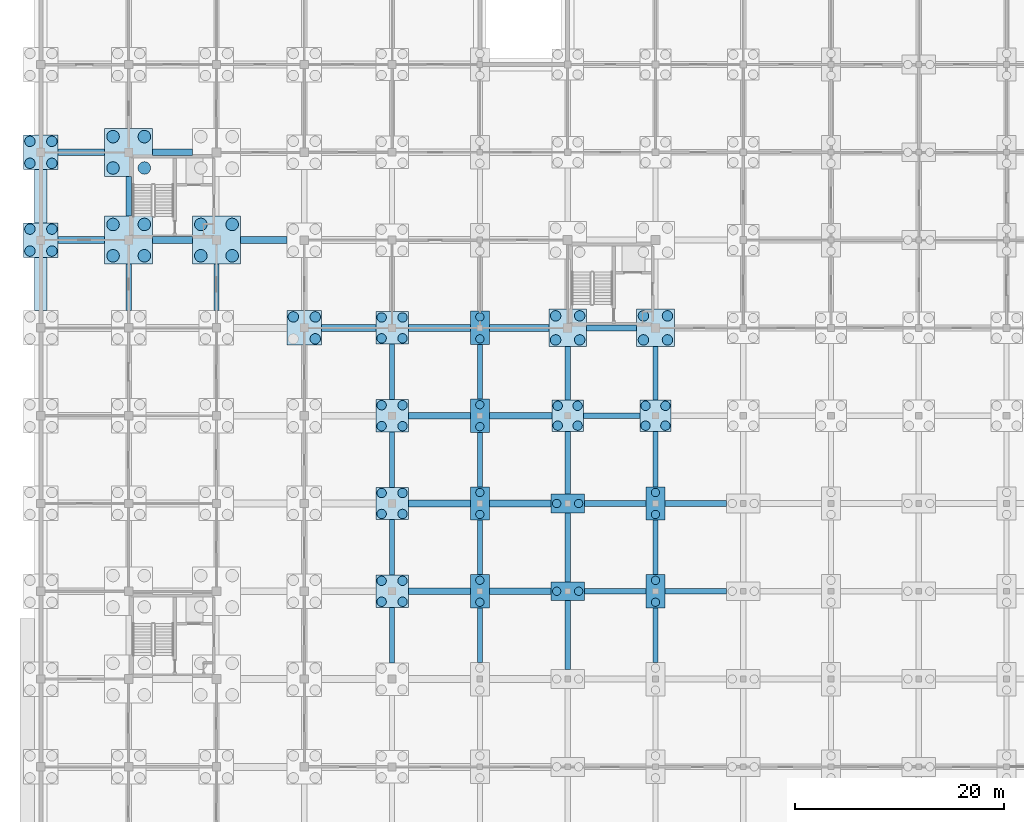
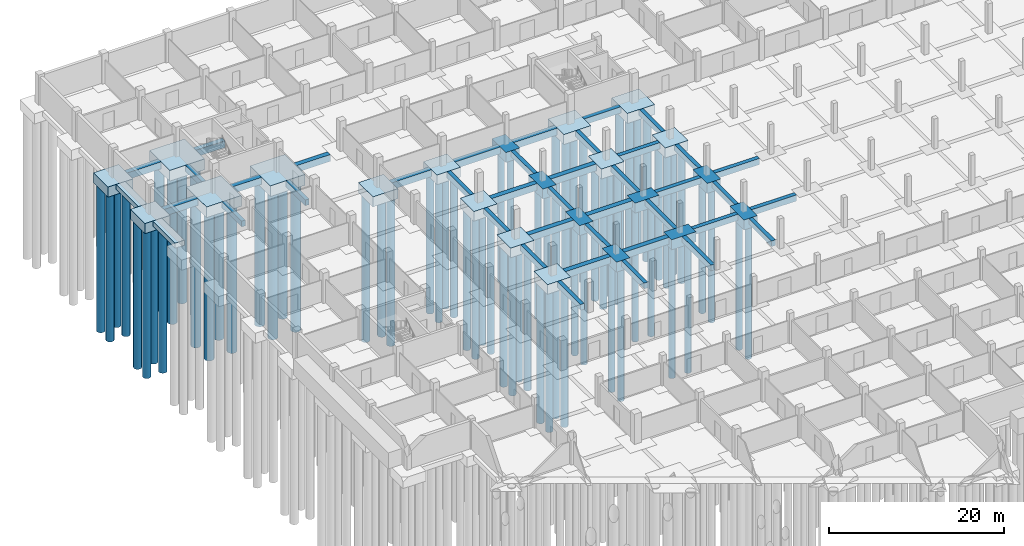
# One storey, part 7 of 43: 71 piles, 63 footings.
"""IFC4 building model written with IfcOpenShell, lengths in metres."""

from ifc_helpers import new_model, si_unit, direction, frame, origin, origin_2d, place, context, subcontext, project, spatial, rectangle, circle, extrude, material, material_profile, profile_set, type_object, element, save


model = new_model("IFC4")

# Units and contexts
model_context = context("Model", 3, precision=1e-05, world=origin(), true_north=direction((0.0, 1.0)))
body_context = subcontext(model_context, "Body", "Model", "MODEL_VIEW")
ifc_project = project(units=[si_unit("LENGTHUNIT", "METRE"), si_unit("AREAUNIT", "SQUARE_METRE"), si_unit("VOLUMEUNIT", "CUBIC_METRE"), si_unit("PLANEANGLEUNIT", "RADIAN"), si_unit("MASSUNIT", "GRAM", prefix="KILO")], contexts=[model_context])

# Site, building, storey
site_placement = place(None, origin())
site = spatial("IfcSite", under=ifc_project, at=site_placement, CompositionType="ELEMENT")
building_placement = place(site_placement, origin())
building = spatial("IfcBuilding", under=site, at=building_placement, Name="Varnapada Polytechnic", CompositionType="ELEMENT")
storey_placement = place(building_placement, frame((0.0, 0.0, -4.199951171875)))
storey = spatial("IfcBuildingStorey", under=building, at=storey_placement, Name="B1", CompositionType="ELEMENT", Elevation=-4.199951171875)

# Piles
ifc_material = material(Name="Concrete C40/50", Category="concrete")
ifc_material_profile_1 = material_profile(ifc_material, circle(Radius=0.5, at=origin_2d()), Name="BP 1000")
ifc_profile_set_1 = profile_set([ifc_material_profile_1], Name="Concrete C40/50")
pile_type_1 = type_object("IfcPileType", Name="Bored Pile BP 1000", PredefinedType="BORED", material=ifc_profile_set_1)
for number, where, z_axis, x_axis, name in (
    (1, (-1.050048828125, 99.75, -1.300048828125), (0.0, 0.0, -1.0), (1.0, 0.0, 0.0), "Bored pile P-01 under CAP-00-12 (1)"),
    (2, (1.050048828125, 99.75, -1.300048828125), (0.0, 0.0, -1.0), (1.0, 0.0, 0.0), "Bored pile P-01 under CAP-00-12 (2)"),
    (3, (-1.050048828125, 101.85009765625, -1.300048828125), (0.0, 0.0, -1.0), (1.0, 0.0, 0.0), "Bored pile P-01 under CAP-00-12 (3)"),
    (4, (1.050048828125, 101.85009765625, -1.300048828125), (0.0, 0.0, -1.0), (1.0, 0.0, 0.0), "Bored pile P-01 under CAP-00-12 (4)"),
    (5, (-1.050048828125, 108.14990234375, -1.300048828125), (0.0, 0.0, -1.0), (1.0, 0.0, 0.0), "Bored pile P-01 under CAP-00-13 (1)"),
    (6, (1.050048828125, 108.14990234375, -1.300048828125), (0.0, 0.0, -1.0), (1.0, 0.0, 0.0), "Bored pile P-01 under CAP-00-13 (2)"),
    (7, (-1.050048828125, 110.25, -1.300048828125), (0.0, 0.0, -1.0), (1.0, 0.0, 0.0), "Bored pile P-01 under CAP-00-13 (3)"),
    (8, (1.050048828125, 110.25, -1.300048828125), (0.0, 0.0, -1.0), (1.0, 0.0, 0.0), "Bored pile P-01 under CAP-00-13 (4)"),
    (9, (26.25, 91.35009765625, -1.300048828125), (0.0, 0.0, -1.0), (1.0, 0.0, 0.0), "Bored pile P-01 under CAP-03-11 (2)"),
    (10, (24.14990234375, 93.449951171875, -1.300048828125), (0.0, 0.0, -1.0), (1.0, 0.0, 0.0), "Bored pile P-01 under CAP-03-11 (3)"),
    (11, (26.25, 93.449951171875, -1.300048828125), (0.0, 0.0, -1.0), (1.0, 0.0, 0.0), "Bored pile P-01 under CAP-03-11 (4)"),
    (12, (49.25, 91.25, -1.300048828125), (0.0, 0.0, -1.0), (1.0, 0.0, 0.0), "Bored pile P-01 under CAP-06-11 (1)"),
    (13, (51.550048828125, 91.25, -1.300048828125), (0.0, 0.0, -1.0), (1.0, 0.0, 0.0), "Bored pile P-01 under CAP-06-11 (2)"),
    (14, (49.25, 93.550048828125, -1.300048828125), (0.0, 0.0, -1.0), (1.0, 0.0, 0.0), "Bored pile P-01 under CAP-06-11 (3)"),
    (15, (51.550048828125, 93.550048828125, -1.300048828125), (0.0, 0.0, -1.0), (1.0, 0.0, 0.0), "Bored pile P-01 under CAP-06-11 (4)"),
    (16, (57.64990234375, 91.25, -1.300048828125), (0.0, 0.0, -1.0), (1.0, 0.0, 0.0), "Bored pile P-01 under CAP-07-11 (1)"),
    (17, (59.949951171875, 91.25, -1.300048828125), (0.0, 0.0, -1.0), (1.0, 0.0, 0.0), "Bored pile P-01 under CAP-07-11 (2)"),
    (18, (57.64990234375, 93.550048828125, -1.300048828125), (0.0, 0.0, -1.0), (1.0, 0.0, 0.0), "Bored pile P-01 under CAP-07-11 (3)"),
    (19, (59.949951171875, 93.550048828125, -1.300048828125), (0.0, 0.0, -1.0), (1.0, 0.0, 0.0), "Bored pile P-01 under CAP-07-11 (4)"),
):
    element("IfcPile", number, at=place(storey_placement, frame(where, z_axis=z_axis, x_axis=x_axis)), inside=storey, type_object=pile_type_1, Name=name, PredefinedType="BORED", context=body_context, shape_type="SweptSolid", body=[
        extrude(circle(Radius=0.5, at=origin_2d()), origin(), (0.0, 0.0, 1.0), 20.5),
    ])
ifc_material_profile_2 = material_profile(ifc_material, circle(Radius=0.60009765625, at=origin_2d()), Name="BP 1200")
ifc_profile_set_2 = profile_set([ifc_material_profile_2], Name="Concrete C40/50")
pile_type_2 = type_object("IfcPileType", Name="Bored Pile BP 1200", PredefinedType="BORED", material=ifc_profile_set_2)
for number, where, z_axis, x_axis, name in (
    (20, (6.89990234375, 99.300048828125, -1.400146484375), (0.0, 0.0, -1.0), (1.0, 0.0, 0.0), "Bored pile P-06 under CAP-01-12 (1)"),
    (21, (9.89990234375, 99.300048828125, -1.400146484375), (0.0, 0.0, -1.0), (1.0, 0.0, 0.0), "Bored pile P-06 under CAP-01-12 (2)"),
    (22, (6.89990234375, 102.300048828125, -1.400146484375), (0.0, 0.0, -1.0), (1.0, 0.0, 0.0), "Bored pile P-06 under CAP-01-12 (3)"),
    (23, (9.89990234375, 102.300048828125, -1.400146484375), (0.0, 0.0, -1.0), (1.0, 0.0, 0.0), "Bored pile P-06 under CAP-01-12 (4)"),
    (24, (6.89990234375, 107.699951171875, -1.400146484375), (0.0, 0.0, -1.0), (1.0, 0.0, 0.0), "Bored pile P-06 under CAP-01-13 (1)"),
    (25, (9.89990234375, 107.699951171875, -1.400146484375), (0.0, 0.0, -1.0), (1.0, 0.0, 0.0), "Bored pile P-06 under CAP-01-13 (2)"),
    (26, (6.89990234375, 110.699951171875, -1.400146484375), (0.0, 0.0, -1.0), (1.0, 0.0, 0.0), "Bored pile P-06 under CAP-01-13 (3)"),
    (27, (9.89990234375, 110.699951171875, -1.400146484375), (0.0, 0.0, -1.0), (1.0, 0.0, 0.0), "Bored pile P-06 under CAP-01-13 (4)"),
    (28, (15.300048828125, 99.300048828125, -1.400146484375), (0.0, 0.0, -1.0), (1.0, 0.0, 0.0), "Bored pile P-06 under CAP-02-12 (1)"),
    (29, (18.300048828125, 99.300048828125, -1.400146484375), (0.0, 0.0, -1.0), (1.0, 0.0, 0.0), "Bored pile P-06 under CAP-02-12 (2)"),
    (30, (15.300048828125, 102.300048828125, -1.400146484375), (0.0, 0.0, -1.0), (1.0, 0.0, 0.0), "Bored pile P-06 under CAP-02-12 (3)"),
    (31, (18.300048828125, 102.300048828125, -1.400146484375), (0.0, 0.0, -1.0), (1.0, 0.0, 0.0), "Bored pile P-06 under CAP-02-12 (4)"),
):
    element("IfcPile", number, at=place(storey_placement, frame(where, z_axis=z_axis, x_axis=x_axis)), inside=storey, type_object=pile_type_2, Name=name, PredefinedType="BORED", context=body_context, shape_type="SweptSolid", body=[
        extrude(circle(Radius=0.60009765625, at=origin_2d()), origin(), (0.0, 0.0, 1.0), 20.39990234375),
    ])
ifc_material_profile_3 = material_profile(ifc_material, circle(Radius=0.39990234375, at=origin_2d()), Name="BP 800")
ifc_profile_set_3 = profile_set([ifc_material_profile_3], Name="Concrete C40/50")
pile_type_3 = type_object("IfcPileType", Name="Bored Pile BP 800", PredefinedType="BORED", material=ifc_profile_set_3)
for number, where, z_axis, x_axis, name in (
    (32, (42.0, 66.14990234375, -1.300048828125), (0.0, 0.0, -1.0), (1.0, 0.0, 0.0), "Bored pile P-03 under CAP-05-08 (1)"),
    (33, (42.0, 68.25, -1.300048828125), (0.0, 0.0, -1.0), (1.0, 0.0, 0.0), "Bored pile P-03 under CAP-05-08 (2)"),
    (34, (42.0, 74.550048828125, -1.300048828125), (0.0, 0.0, -1.0), (1.0, 0.0, 0.0), "Bored pile P-03 under CAP-05-09 (1)"),
    (35, (42.0, 76.64990234375, -1.300048828125), (0.0, 0.0, -1.0), (1.0, 0.0, 0.0), "Bored pile P-03 under CAP-05-09 (2)"),
    (36, (42.0, 82.949951171875, -1.300048828125), (0.0, 0.0, -1.0), (1.0, 0.0, 0.0), "Bored pile P-03 under CAP-05-10 (1)"),
    (37, (42.0, 85.050048828125, -1.300048828125), (0.0, 0.0, -1.0), (1.0, 0.0, 0.0), "Bored pile P-03 under CAP-05-10 (2)"),
    (38, (42.0, 91.35009765625, -1.300048828125), (0.0, 0.0, -1.0), (1.0, 0.0, 0.0), "Bored pile P-03 under CAP-05-11 (1)"),
    (39, (42.0, 93.449951171875, -1.300048828125), (0.0, 0.0, -1.0), (1.0, 0.0, 0.0), "Bored pile P-03 under CAP-05-11 (2)"),
    (40, (49.35009765625, 67.199951171875, -1.300048828125), (0.0, 0.0, -1.0), (1.0, 0.0, 0.0), "Bored pile P-03 under CAP-06-08 (1)"),
    (41, (51.449951171875, 67.199951171875, -1.300048828125), (0.0, 0.0, -1.0), (1.0, 0.0, 0.0), "Bored pile P-03 under CAP-06-08 (2)"),
    (42, (49.35009765625, 75.60009765625, -1.300048828125), (0.0, 0.0, -1.0), (1.0, 0.0, 0.0), "Bored pile P-03 under CAP-06-09 (1)"),
    (43, (51.449951171875, 75.60009765625, -1.300048828125), (0.0, 0.0, -1.0), (1.0, 0.0, 0.0), "Bored pile P-03 under CAP-06-09 (2)"),
    (44, (58.800048828125, 66.14990234375, -1.300048828125), (0.0, 0.0, -1.0), (1.0, 0.0, 0.0), "Bored pile P-03 under CAP-07-08 (1)"),
    (45, (58.800048828125, 68.25, -1.300048828125), (0.0, 0.0, -1.0), (1.0, 0.0, 0.0), "Bored pile P-03 under CAP-07-08 (2)"),
    (46, (58.800048828125, 74.550048828125, -1.300048828125), (0.0, 0.0, -1.0), (1.0, 0.0, 0.0), "Bored pile P-03 under CAP-07-09 (1)"),
    (47, (58.800048828125, 76.64990234375, -1.300048828125), (0.0, 0.0, -1.0), (1.0, 0.0, 0.0), "Bored pile P-03 under CAP-07-09 (2)"),
):
    element("IfcPile", number, at=place(storey_placement, frame(where, z_axis=z_axis, x_axis=x_axis)), inside=storey, type_object=pile_type_3, Name=name, PredefinedType="BORED", context=body_context, shape_type="SweptSolid", body=[
        extrude(circle(Radius=0.39990234375, at=origin_2d()), origin(), (0.0, 0.0, 1.0), 18.5),
    ])
ifc_material_profile_4 = material_profile(ifc_material, circle(Radius=0.449951171875, at=origin_2d()), Name="BP 900")
ifc_profile_set_4 = profile_set([ifc_material_profile_4], Name="Concrete C40/50")
pile_type_4 = type_object("IfcPileType", Name="Bored Pile BP 900", PredefinedType="BORED", material=ifc_profile_set_4)
for number, where, z_axis, x_axis, name in (
    (48, (32.60009765625, 66.199951171875, -1.25), (0.0, 0.0, -1.0), (1.0, 0.0, 0.0), "Bored pile P-02 under CAP-04-08 (1)"),
    (49, (34.60009765625, 66.199951171875, -1.25), (0.0, 0.0, -1.0), (1.0, 0.0, 0.0), "Bored pile P-02 under CAP-04-08 (2)"),
    (50, (32.60009765625, 68.199951171875, -1.25), (0.0, 0.0, -1.0), (1.0, 0.0, 0.0), "Bored pile P-02 under CAP-04-08 (3)"),
    (51, (34.60009765625, 68.199951171875, -1.25), (0.0, 0.0, -1.0), (1.0, 0.0, 0.0), "Bored pile P-02 under CAP-04-08 (4)"),
    (52, (32.60009765625, 74.60009765625, -1.25), (0.0, 0.0, -1.0), (1.0, 0.0, 0.0), "Bored pile P-02 under CAP-04-09 (1)"),
    (53, (34.60009765625, 74.60009765625, -1.25), (0.0, 0.0, -1.0), (1.0, 0.0, 0.0), "Bored pile P-02 under CAP-04-09 (2)"),
    (54, (32.60009765625, 76.60009765625, -1.25), (0.0, 0.0, -1.0), (1.0, 0.0, 0.0), "Bored pile P-02 under CAP-04-09 (3)"),
    (55, (34.60009765625, 76.60009765625, -1.25), (0.0, 0.0, -1.0), (1.0, 0.0, 0.0), "Bored pile P-02 under CAP-04-09 (4)"),
    (56, (32.60009765625, 83.0, -1.25), (0.0, 0.0, -1.0), (1.0, 0.0, 0.0), "Bored pile P-02 under CAP-04-10 (1)"),
    (57, (34.60009765625, 83.0, -1.25), (0.0, 0.0, -1.0), (1.0, 0.0, 0.0), "Bored pile P-02 under CAP-04-10 (2)"),
    (58, (32.60009765625, 85.0, -1.25), (0.0, 0.0, -1.0), (1.0, 0.0, 0.0), "Bored pile P-02 under CAP-04-10 (3)"),
    (59, (34.60009765625, 85.0, -1.25), (0.0, 0.0, -1.0), (1.0, 0.0, 0.0), "Bored pile P-02 under CAP-04-10 (4)"),
    (60, (32.60009765625, 91.39990234375, -1.25), (0.0, 0.0, -1.0), (1.0, 0.0, 0.0), "Bored pile P-02 under CAP-04-11 (1)"),
    (61, (34.60009765625, 91.39990234375, -1.25), (0.0, 0.0, -1.0), (1.0, 0.0, 0.0), "Bored pile P-02 under CAP-04-11 (2)"),
    (62, (32.60009765625, 93.39990234375, -1.25), (0.0, 0.0, -1.0), (1.0, 0.0, 0.0), "Bored pile P-02 under CAP-04-11 (3)"),
    (63, (34.60009765625, 93.39990234375, -1.25), (0.0, 0.0, -1.0), (1.0, 0.0, 0.0), "Bored pile P-02 under CAP-04-11 (4)"),
):
    element("IfcPile", number, at=place(storey_placement, frame(where, z_axis=z_axis, x_axis=x_axis)), inside=storey, type_object=pile_type_4, Name=name, PredefinedType="BORED", context=body_context, shape_type="SweptSolid", body=[
        extrude(circle(Radius=0.449951171875, at=origin_2d()), origin(), (0.0, 0.0, 1.0), 19.550048828125),
    ])
for number, where, z_axis, x_axis, name in (
    (64, (49.449951171875, 83.050048828125, -1.300048828125), (0.0, 0.0, -1.0), (1.0, 0.0, 0.0), "Bored pile P-02 under CAP-06-10 (1)"),
    (65, (51.35009765625, 83.050048828125, -1.300048828125), (0.0, 0.0, -1.0), (1.0, 0.0, 0.0), "Bored pile P-02 under CAP-06-10 (2)"),
    (66, (49.449951171875, 84.949951171875, -1.300048828125), (0.0, 0.0, -1.0), (1.0, 0.0, 0.0), "Bored pile P-02 under CAP-06-10 (3)"),
    (67, (51.35009765625, 84.949951171875, -1.300048828125), (0.0, 0.0, -1.0), (1.0, 0.0, 0.0), "Bored pile P-02 under CAP-06-10 (4)"),
    (68, (57.85009765625, 83.050048828125, -1.300048828125), (0.0, 0.0, -1.0), (1.0, 0.0, 0.0), "Bored pile P-02 under CAP-07-10 (1)"),
    (69, (59.75, 83.050048828125, -1.300048828125), (0.0, 0.0, -1.0), (1.0, 0.0, 0.0), "Bored pile P-02 under CAP-07-10 (2)"),
    (70, (57.85009765625, 84.949951171875, -1.300048828125), (0.0, 0.0, -1.0), (1.0, 0.0, 0.0), "Bored pile P-02 under CAP-07-10 (3)"),
    (71, (59.75, 84.949951171875, -1.300048828125), (0.0, 0.0, -1.0), (1.0, 0.0, 0.0), "Bored pile P-02 under CAP-07-10 (4)"),
):
    element("IfcPile", number, at=place(storey_placement, frame(where, z_axis=z_axis, x_axis=x_axis)), inside=storey, type_object=pile_type_4, Name=name, PredefinedType="BORED", context=body_context, shape_type="SweptSolid", body=[
        extrude(circle(Radius=0.449951171875, at=origin_2d()), origin(), (0.0, 0.0, 1.0), 18.5),
    ])

# Footings
footing_type_1 = type_object("IfcFootingType", Name="Footing GB-02", PredefinedType="FOOTING_BEAM", material=ifc_material)
footing_1_placement = place(storey_placement, frame((8.39990234375, 96.27490234375, -0.80029296875), z_axis=(0.0, 0.0, 1.0), x_axis=(0.0, 1.0, 0.0)))
element("IfcFooting", 72, at=footing_1_placement, inside=storey, type_object=footing_type_1, Name="Ground footing beam GB-02 Y 12-13", PredefinedType="FOOTING_BEAM", context=body_context, shape_type="SweptSolid", body=[
    extrude(rectangle(XDim=4.449951171875, YDim=0.5, at=origin_2d()), origin(), (0.0, 0.0, 1.0), 0.800048828125),
])
footing_2_placement = place(storey_placement, frame((8.39990234375, 105.0, -0.80029296875), z_axis=(0.0, 0.0, 1.0), x_axis=(0.0, 1.0, 0.0)))
element("IfcFooting", 73, at=footing_2_placement, inside=storey, type_object=footing_type_1, Name="Ground footing beam GB-02 Y 13-14", PredefinedType="FOOTING_BEAM", context=body_context, shape_type="SweptSolid", body=[
    extrude(rectangle(XDim=3.800048828125, YDim=0.5, at=origin_2d()), origin(), (0.0, 0.0, 1.0), 0.800048828125),
])
footing_3_placement = place(storey_placement, frame((16.800048828125, 96.27490234375, -0.80029296875), z_axis=(0.0, 0.0, 1.0), x_axis=(0.0, 1.0, 0.0)))
element("IfcFooting", 74, at=footing_3_placement, inside=storey, type_object=footing_type_1, Name="Ground footing beam GB-02 Y 12-13", PredefinedType="FOOTING_BEAM", context=body_context, shape_type="SweptSolid", body=[
    extrude(rectangle(XDim=4.449951171875, YDim=0.5, at=origin_2d()), origin(), (0.0, 0.0, 1.0), 0.800048828125),
])
for number, where, z_axis, x_axis, name in (
    (75, (33.60009765625, 63.0, -0.80029296875), (0.0, 0.0, 1.0), (0.0, 1.0, 0.0), "Ground footing beam GB-02 Y 8-9"),
    (76, (33.60009765625, 71.39990234375, -0.80029296875), (0.0, 0.0, 1.0), (0.0, 1.0, 0.0), "Ground footing beam GB-02 Y 9-10"),
    (77, (33.60009765625, 79.800048828125, -0.80029296875), (0.0, 0.0, 1.0), (0.0, 1.0, 0.0), "Ground footing beam GB-02 Y 10-11"),
    (78, (33.60009765625, 88.199951171875, -0.80029296875), (0.0, 0.0, 1.0), (0.0, 1.0, 0.0), "Ground footing beam GB-02 Y 11-12"),
):
    element("IfcFooting", number, at=place(storey_placement, frame(where, z_axis=z_axis, x_axis=x_axis)), inside=storey, type_object=footing_type_1, Name=name, PredefinedType="FOOTING_BEAM", context=body_context, shape_type="SweptSolid", body=[
        extrude(rectangle(XDim=5.300048828125, YDim=0.5, at=origin_2d()), origin(), (0.0, 0.0, 1.0), 0.800048828125),
    ])
for number, where, z_axis, x_axis, name in (
    (79, (42.0, 63.0, -0.80029296875), (0.0, 0.0, 1.0), (0.0, 1.0, 0.0), "Ground footing beam GB-02 Y 8-9"),
    (80, (42.0, 71.39990234375, -0.80029296875), (0.0, 0.0, 1.0), (0.0, 1.0, 0.0), "Ground footing beam GB-02 Y 9-10"),
    (81, (42.0, 79.800048828125, -0.80029296875), (0.0, 0.0, 1.0), (0.0, 1.0, 0.0), "Ground footing beam GB-02 Y 10-11"),
    (82, (42.0, 88.199951171875, -0.80029296875), (0.0, 0.0, 1.0), (0.0, 1.0, 0.0), "Ground footing beam GB-02 Y 11-12"),
):
    element("IfcFooting", number, at=place(storey_placement, frame(where, z_axis=z_axis, x_axis=x_axis)), inside=storey, type_object=footing_type_1, Name=name, PredefinedType="FOOTING_BEAM", context=body_context, shape_type="SweptSolid", body=[
        extrude(rectangle(XDim=5.199951171875, YDim=0.5, at=origin_2d()), origin(), (0.0, 0.0, 1.0), 0.800048828125),
    ])
for number, where, z_axis, x_axis, name in (
    (83, (50.39990234375, 63.0, -0.80029296875), (0.0, 0.0, 1.0), (0.0, 1.0, 0.0), "Ground footing beam GB-02 Y 8-9"),
    (84, (50.39990234375, 71.39990234375, -0.80029296875), (0.0, 0.0, 1.0), (0.0, 1.0, 0.0), "Ground footing beam GB-02 Y 9-10"),
):
    element("IfcFooting", number, at=place(storey_placement, frame(where, z_axis=z_axis, x_axis=x_axis)), inside=storey, type_object=footing_type_1, Name=name, PredefinedType="FOOTING_BEAM", context=body_context, shape_type="SweptSolid", body=[
        extrude(rectangle(XDim=6.60009765625, YDim=0.5, at=origin_2d()), origin(), (0.0, 0.0, 1.0), 0.800048828125),
    ])
footing_4_placement = place(storey_placement, frame((50.39990234375, 79.5, -0.80029296875), z_axis=(0.0, 0.0, 1.0), x_axis=(0.0, 1.0, 0.0)))
element("IfcFooting", 85, at=footing_4_placement, inside=storey, type_object=footing_type_1, Name="Ground footing beam GB-02 Y 10-11", PredefinedType="FOOTING_BEAM", context=body_context, shape_type="SweptSolid", body=[
    extrude(rectangle(XDim=6.0, YDim=0.5, at=origin_2d()), origin(), (0.0, 0.0, 1.0), 0.800048828125),
])
footing_5_placement = place(storey_placement, frame((50.39990234375, 88.050048828125, -0.80029296875), z_axis=(0.0, 0.0, 1.0), x_axis=(0.0, 1.0, 0.0)))
element("IfcFooting", 86, at=footing_5_placement, inside=storey, type_object=footing_type_1, Name="Ground footing beam GB-02 Y 11-12", PredefinedType="FOOTING_BEAM", context=body_context, shape_type="SweptSolid", body=[
    extrude(rectangle(XDim=5.10009765625, YDim=0.5, at=origin_2d()), origin(), (0.0, 0.0, 1.0), 0.800048828125),
])
for number, where, z_axis, x_axis, name in (
    (87, (58.800048828125, 63.0, -0.80029296875), (0.0, 0.0, 1.0), (0.0, 1.0, 0.0), "Ground footing beam GB-02 Y 8-9"),
    (88, (58.800048828125, 71.39990234375, -0.80029296875), (0.0, 0.0, 1.0), (0.0, 1.0, 0.0), "Ground footing beam GB-02 Y 9-10"),
):
    element("IfcFooting", number, at=place(storey_placement, frame(where, z_axis=z_axis, x_axis=x_axis)), inside=storey, type_object=footing_type_1, Name=name, PredefinedType="FOOTING_BEAM", context=body_context, shape_type="SweptSolid", body=[
        extrude(rectangle(XDim=5.199951171875, YDim=0.5, at=origin_2d()), origin(), (0.0, 0.0, 1.0), 0.800048828125),
    ])
footing_6_placement = place(storey_placement, frame((58.800048828125, 79.85009765625, -0.80029296875), z_axis=(0.0, 0.0, 1.0), x_axis=(0.0, 1.0, 0.0)))
element("IfcFooting", 89, at=footing_6_placement, inside=storey, type_object=footing_type_1, Name="Ground footing beam GB-02 Y 10-11", PredefinedType="FOOTING_BEAM", context=body_context, shape_type="SweptSolid", body=[
    extrude(rectangle(XDim=5.300048828125, YDim=0.5, at=origin_2d()), origin(), (0.0, 0.0, 1.0), 0.800048828125),
])
footing_7_placement = place(storey_placement, frame((58.800048828125, 88.050048828125, -0.80029296875), z_axis=(0.0, 0.0, 1.0), x_axis=(0.0, 1.0, 0.0)))
element("IfcFooting", 90, at=footing_7_placement, inside=storey, type_object=footing_type_1, Name="Ground footing beam GB-02 Y 11-12", PredefinedType="FOOTING_BEAM", context=body_context, shape_type="SweptSolid", body=[
    extrude(rectangle(XDim=5.10009765625, YDim=0.5, at=origin_2d()), origin(), (0.0, 0.0, 1.0), 0.800048828125),
])
footing_type_2 = type_object("IfcFootingType", Name="Footing GB-03", PredefinedType="FOOTING_BEAM", material=ifc_material)
for number, where, z_axis, x_axis, name in (
    (91, (3.875, 100.800048828125, -0.9501953125), (0.0, 0.0, 1.0), (1.0, 0.0, 0.0), "Ground footing beam GB-03 X 1-2"),
    (92, (3.875, 109.199951171875, -0.9501953125), (0.0, 0.0, 1.0), (1.0, 0.0, 0.0), "Ground footing beam GB-03 X 1-2"),
):
    element("IfcFooting", number, at=place(storey_placement, frame(where, z_axis=z_axis, x_axis=x_axis)), inside=storey, type_object=footing_type_2, Name=name, PredefinedType="FOOTING_BEAM", context=body_context, shape_type="SweptSolid", body=[
        extrude(rectangle(XDim=4.449951171875, YDim=0.64990234375, at=origin_2d()), origin(), (0.0, 0.0, 1.0), 0.949951171875),
    ])
for number, where, z_axis, x_axis, name in (
    (93, (12.60009765625, 100.800048828125, -0.9501953125), (0.0, 0.0, 1.0), (1.0, 0.0, 0.0), "Ground footing beam GB-03 X 2-3"),
    (94, (12.60009765625, 109.199951171875, -0.9501953125), (0.0, 0.0, 1.0), (1.0, 0.0, 0.0), "Ground footing beam GB-03 X 2-3"),
):
    element("IfcFooting", number, at=place(storey_placement, frame(where, z_axis=z_axis, x_axis=x_axis)), inside=storey, type_object=footing_type_2, Name=name, PredefinedType="FOOTING_BEAM", context=body_context, shape_type="SweptSolid", body=[
        extrude(rectangle(XDim=3.800048828125, YDim=0.64990234375, at=origin_2d()), origin(), (0.0, 0.0, 1.0), 0.949951171875),
    ])
footing_8_placement = place(storey_placement, frame((21.324951171875, 100.800048828125, -0.9501953125), z_axis=(0.0, 0.0, 1.0), x_axis=(1.0, 0.0, 0.0)))
element("IfcFooting", 95, at=footing_8_placement, inside=storey, type_object=footing_type_2, Name="Ground footing beam GB-03 X 3-4", PredefinedType="FOOTING_BEAM", context=body_context, shape_type="SweptSolid", body=[
    extrude(rectangle(XDim=4.449951171875, YDim=0.64990234375, at=origin_2d()), origin(), (0.0, 0.0, 1.0), 0.949951171875),
])
footing_9_placement = place(storey_placement, frame((29.449951171875, 92.39990234375, -0.9501953125), z_axis=(0.0, 0.0, 1.0), x_axis=(1.0, 0.0, 0.0)))
element("IfcFooting", 96, at=footing_9_placement, inside=storey, type_object=footing_type_2, Name="Ground footing beam GB-03 X 4-5", PredefinedType="FOOTING_BEAM", context=body_context, shape_type="SweptSolid", body=[
    extrude(rectangle(XDim=5.199951171875, YDim=0.64990234375, at=origin_2d()), origin(), (0.0, 0.0, 1.0), 0.949951171875),
])
for number, where, z_axis, x_axis, name in (
    (97, (38.125, 67.199951171875, -0.9501953125), (0.0, 0.0, 1.0), (1.0, 0.0, 0.0), "Ground footing beam GB-03 X 5-6"),
    (98, (38.125, 75.60009765625, -0.9501953125), (0.0, 0.0, 1.0), (1.0, 0.0, 0.0), "Ground footing beam GB-03 X 5-6"),
    (99, (38.125, 84.0, -0.9501953125), (0.0, 0.0, 1.0), (1.0, 0.0, 0.0), "Ground footing beam GB-03 X 5-6"),
    (100, (38.125, 92.39990234375, -0.9501953125), (0.0, 0.0, 1.0), (1.0, 0.0, 0.0), "Ground footing beam GB-03 X 5-6"),
):
    element("IfcFooting", number, at=place(storey_placement, frame(where, z_axis=z_axis, x_axis=x_axis)), inside=storey, type_object=footing_type_2, Name=name, PredefinedType="FOOTING_BEAM", context=body_context, shape_type="SweptSolid", body=[
        extrude(rectangle(XDim=5.949951171875, YDim=0.64990234375, at=origin_2d()), origin(), (0.0, 0.0, 1.0), 0.949951171875),
    ])
for number, where, z_axis, x_axis, name in (
    (101, (45.85009765625, 67.199951171875, -0.9501953125), (0.0, 0.0, 1.0), (1.0, 0.0, 0.0), "Ground footing beam GB-03 X 6-7"),
    (102, (45.85009765625, 75.60009765625, -0.9501953125), (0.0, 0.0, 1.0), (1.0, 0.0, 0.0), "Ground footing beam GB-03 X 6-7"),
):
    element("IfcFooting", number, at=place(storey_placement, frame(where, z_axis=z_axis, x_axis=x_axis)), inside=storey, type_object=footing_type_2, Name=name, PredefinedType="FOOTING_BEAM", context=body_context, shape_type="SweptSolid", body=[
        extrude(rectangle(XDim=5.89990234375, YDim=0.64990234375, at=origin_2d()), origin(), (0.0, 0.0, 1.0), 0.949951171875),
    ])
footing_10_placement = place(storey_placement, frame((45.89990234375, 84.0, -0.9501953125), z_axis=(0.0, 0.0, 1.0), x_axis=(1.0, 0.0, 0.0)))
element("IfcFooting", 103, at=footing_10_placement, inside=storey, type_object=footing_type_2, Name="Ground footing beam GB-03 X 6-7", PredefinedType="FOOTING_BEAM", context=body_context, shape_type="SweptSolid", body=[
    extrude(rectangle(XDim=6.0, YDim=0.64990234375, at=origin_2d()), origin(), (0.0, 0.0, 1.0), 0.949951171875),
])
footing_11_placement = place(storey_placement, frame((45.75, 92.39990234375, -0.9501953125), z_axis=(0.0, 0.0, 1.0), x_axis=(1.0, 0.0, 0.0)))
element("IfcFooting", 104, at=footing_11_placement, inside=storey, type_object=footing_type_2, Name="Ground footing beam GB-03 X 6-7", PredefinedType="FOOTING_BEAM", context=body_context, shape_type="SweptSolid", body=[
    extrude(rectangle(XDim=5.699951171875, YDim=0.64990234375, at=origin_2d()), origin(), (0.0, 0.0, 1.0), 0.949951171875),
])
footing_type_3 = type_object("IfcFootingType", Name="Footing GB-04", PredefinedType="FOOTING_BEAM", material=ifc_material)
for number, where, z_axis, x_axis, name in (
    (105, (54.949951171875, 67.199951171875, -0.85009765625), (0.0, 0.0, 1.0), (1.0, 0.0, 0.0), "Ground footing beam GB-04 X 7-8"),
    (106, (54.949951171875, 75.60009765625, -0.85009765625), (0.0, 0.0, 1.0), (1.0, 0.0, 0.0), "Ground footing beam GB-04 X 7-8"),
):
    element("IfcFooting", number, at=place(storey_placement, frame(where, z_axis=z_axis, x_axis=x_axis)), inside=storey, type_object=footing_type_3, Name=name, PredefinedType="FOOTING_BEAM", context=body_context, shape_type="SweptSolid", body=[
        extrude(rectangle(XDim=5.89990234375, YDim=0.550048828125, at=origin_2d()), origin(), (0.0, 0.0, 1.0), 0.85009765625),
    ])
footing_12_placement = place(storey_placement, frame((54.60009765625, 84.0, -0.85009765625), z_axis=(0.0, 0.0, 1.0), x_axis=(1.0, 0.0, 0.0)))
element("IfcFooting", 107, at=footing_12_placement, inside=storey, type_object=footing_type_3, Name="Ground footing beam GB-04 X 7-8", PredefinedType="FOOTING_BEAM", context=body_context, shape_type="SweptSolid", body=[
    extrude(rectangle(XDim=5.39990234375, YDim=0.550048828125, at=origin_2d()), origin(), (0.0, 0.0, 1.0), 0.85009765625),
])
footing_13_placement = place(storey_placement, frame((54.60009765625, 92.39990234375, -0.85009765625), z_axis=(0.0, 0.0, 1.0), x_axis=(1.0, 0.0, 0.0)))
element("IfcFooting", 108, at=footing_13_placement, inside=storey, type_object=footing_type_3, Name="Ground footing beam GB-04 X 7-8", PredefinedType="FOOTING_BEAM", context=body_context, shape_type="SweptSolid", body=[
    extrude(rectangle(XDim=4.800048828125, YDim=0.550048828125, at=origin_2d()), origin(), (0.0, 0.0, 1.0), 0.85009765625),
])
for number, where, z_axis, x_axis, name in (
    (109, (62.64990234375, 67.199951171875, -0.85009765625), (0.0, 0.0, 1.0), (1.0, 0.0, 0.0), "Ground footing beam GB-04 X 8-9"),
    (110, (62.64990234375, 75.60009765625, -0.85009765625), (0.0, 0.0, 1.0), (1.0, 0.0, 0.0), "Ground footing beam GB-04 X 8-9"),
):
    element("IfcFooting", number, at=place(storey_placement, frame(where, z_axis=z_axis, x_axis=x_axis)), inside=storey, type_object=footing_type_3, Name=name, PredefinedType="FOOTING_BEAM", context=body_context, shape_type="SweptSolid", body=[
        extrude(rectangle(XDim=5.89990234375, YDim=0.550048828125, at=origin_2d()), origin(), (0.0, 0.0, 1.0), 0.85009765625),
    ])
footing_type_4 = type_object("IfcFootingType", Name="Footing PC-01", PredefinedType="PILE_CAP", material=ifc_material)
for number, where, z_axis, x_axis, name in (
    (111, (50.39990234375, 92.39990234375, -1.39990234375), (0.0, 0.0, 1.0), (1.0, 0.0, 0.0), "Pile cap PC-01 at grid 7/12"),
    (112, (58.800048828125, 92.39990234375, -1.39990234375), (0.0, 0.0, 1.0), (1.0, 0.0, 0.0), "Pile cap PC-01 at grid 8/12"),
):
    element("IfcFooting", number, at=place(storey_placement, frame(where, z_axis=z_axis, x_axis=x_axis)), inside=storey, type_object=footing_type_4, Name=name, PredefinedType="PILE_CAP", context=body_context, shape_type="SweptSolid", body=[
        extrude(rectangle(XDim=3.60009765625, YDim=3.60009765625, at=origin_2d()), origin(), (0.0, 0.0, 1.0), 1.39990234375),
    ])
footing_type_5 = type_object("IfcFootingType", Name="Footing PC-02", PredefinedType="PILE_CAP", material=ifc_material)
for number, where, z_axis, x_axis, name in (
    (113, (0.0, 100.800048828125, -1.39990234375), (0.0, 0.0, 1.0), (1.0, 0.0, 0.0), "Pile cap PC-02 at grid 1/13"),
    (114, (0.0, 109.199951171875, -1.39990234375), (0.0, 0.0, 1.0), (1.0, 0.0, 0.0), "Pile cap PC-02 at grid 1/14"),
    (115, (25.199951171875, 92.39990234375, -1.39990234375), (0.0, 0.0, 1.0), (1.0, 0.0, 0.0), "Pile cap PC-02 at grid 4/12"),
):
    element("IfcFooting", number, at=place(storey_placement, frame(where, z_axis=z_axis, x_axis=x_axis)), inside=storey, type_object=footing_type_5, Name=name, PredefinedType="PILE_CAP", context=body_context, shape_type="SweptSolid", body=[
        extrude(rectangle(XDim=3.300048828125, YDim=3.300048828125, at=origin_2d()), origin(), (0.0, 0.0, 1.0), 1.39990234375),
    ])
footing_type_6 = type_object("IfcFootingType", Name="Footing PC-03", PredefinedType="PILE_CAP", material=ifc_material)
for number, where, z_axis, x_axis, name in (
    (116, (50.39990234375, 84.0, -1.39990234375), (0.0, 0.0, 1.0), (1.0, 0.0, 0.0), "Pile cap PC-03 at grid 7/11"),
    (117, (58.800048828125, 84.0, -1.39990234375), (0.0, 0.0, 1.0), (1.0, 0.0, 0.0), "Pile cap PC-03 at grid 8/11"),
):
    element("IfcFooting", number, at=place(storey_placement, frame(where, z_axis=z_axis, x_axis=x_axis)), inside=storey, type_object=footing_type_6, Name=name, PredefinedType="PILE_CAP", context=body_context, shape_type="SweptSolid", body=[
        extrude(rectangle(XDim=3.0, YDim=3.0, at=origin_2d()), origin(), (0.0, 0.0, 1.0), 1.39990234375),
    ])
footing_type_7 = type_object("IfcFootingType", Name="Footing PC-04", PredefinedType="PILE_CAP", material=ifc_material)
for number, where, z_axis, x_axis, name in (
    (118, (50.39990234375, 67.199951171875, -1.39990234375), (0.0, 0.0, 1.0), (1.0, 0.0, 0.0), "Pile cap PC-04 at grid 7/9"),
    (119, (50.39990234375, 75.60009765625, -1.39990234375), (0.0, 0.0, 1.0), (1.0, 0.0, 0.0), "Pile cap PC-04 at grid 7/10"),
):
    element("IfcFooting", number, at=place(storey_placement, frame(where, z_axis=z_axis, x_axis=x_axis)), inside=storey, type_object=footing_type_7, Name=name, PredefinedType="PILE_CAP", context=body_context, shape_type="SweptSolid", body=[
        extrude(rectangle(XDim=3.199951171875, YDim=1.800048828125, at=origin_2d()), origin(), (0.0, 0.0, 1.0), 1.39990234375),
    ])
footing_type_8 = type_object("IfcFootingType", Name="Footing PC-05", PredefinedType="PILE_CAP", material=ifc_material)
for number, where, z_axis, x_axis, name in (
    (120, (42.0, 67.199951171875, -1.39990234375), (0.0, 0.0, 1.0), (1.0, 0.0, 0.0), "Pile cap PC-05 at grid 6/9"),
    (121, (42.0, 75.60009765625, -1.39990234375), (0.0, 0.0, 1.0), (1.0, 0.0, 0.0), "Pile cap PC-05 at grid 6/10"),
    (122, (42.0, 84.0, -1.39990234375), (0.0, 0.0, 1.0), (1.0, 0.0, 0.0), "Pile cap PC-05 at grid 6/11"),
    (123, (42.0, 92.39990234375, -1.39990234375), (0.0, 0.0, 1.0), (1.0, 0.0, 0.0), "Pile cap PC-05 at grid 6/12"),
    (124, (58.800048828125, 67.199951171875, -1.39990234375), (0.0, 0.0, 1.0), (1.0, 0.0, 0.0), "Pile cap PC-05 at grid 8/9"),
    (125, (58.800048828125, 75.60009765625, -1.39990234375), (0.0, 0.0, 1.0), (1.0, 0.0, 0.0), "Pile cap PC-05 at grid 8/10"),
):
    element("IfcFooting", number, at=place(storey_placement, frame(where, z_axis=z_axis, x_axis=x_axis)), inside=storey, type_object=footing_type_8, Name=name, PredefinedType="PILE_CAP", context=body_context, shape_type="SweptSolid", body=[
        extrude(rectangle(XDim=1.800048828125, YDim=3.199951171875, at=origin_2d()), origin(), (0.0, 0.0, 1.0), 1.39990234375),
    ])
footing_type_9 = type_object("IfcFootingType", Name="Footing PC-08", PredefinedType="PILE_CAP", material=ifc_material)
for number, where, z_axis, x_axis, name in (
    (126, (33.60009765625, 67.199951171875, -1.35009765625), (0.0, 0.0, 1.0), (1.0, 0.0, 0.0), "Pile cap PC-08 at grid 5/9"),
    (127, (33.60009765625, 75.60009765625, -1.35009765625), (0.0, 0.0, 1.0), (1.0, 0.0, 0.0), "Pile cap PC-08 at grid 5/10"),
    (128, (33.60009765625, 84.0, -1.35009765625), (0.0, 0.0, 1.0), (1.0, 0.0, 0.0), "Pile cap PC-08 at grid 5/11"),
    (129, (33.60009765625, 92.39990234375, -1.35009765625), (0.0, 0.0, 1.0), (1.0, 0.0, 0.0), "Pile cap PC-08 at grid 5/12"),
):
    element("IfcFooting", number, at=place(storey_placement, frame(where, z_axis=z_axis, x_axis=x_axis)), inside=storey, type_object=footing_type_9, Name=name, PredefinedType="PILE_CAP", context=body_context, shape_type="SweptSolid", body=[
        extrude(rectangle(XDim=3.10009765625, YDim=3.10009765625, at=origin_2d()), origin(), (0.0, 0.0, 1.0), 1.35009765625),
    ])
footing_type_10 = type_object("IfcFootingType", Name="Footing PC-13", PredefinedType="PILE_CAP", material=ifc_material)
for number, where, z_axis, x_axis, name in (
    (130, (8.39990234375, 100.800048828125, -1.5), (0.0, 0.0, 1.0), (1.0, 0.0, 0.0), "Pile cap PC-13 at grid 2/13"),
    (131, (8.39990234375, 109.199951171875, -1.5), (0.0, 0.0, 1.0), (1.0, 0.0, 0.0), "Pile cap PC-13 at grid 2/14"),
    (132, (16.800048828125, 100.800048828125, -1.5), (0.0, 0.0, 1.0), (1.0, 0.0, 0.0), "Pile cap PC-13 at grid 3/13"),
):
    element("IfcFooting", number, at=place(storey_placement, frame(where, z_axis=z_axis, x_axis=x_axis)), inside=storey, type_object=footing_type_10, Name=name, PredefinedType="PILE_CAP", context=body_context, shape_type="SweptSolid", body=[
        extrude(rectangle(XDim=4.60009765625, YDim=4.60009765625, at=origin_2d()), origin(), (0.0, 0.0, 1.0), 1.5),
    ])
footing_type_11 = type_object("IfcFootingType", Name="Footing SF-01", PredefinedType="STRIP_FOOTING", material=ifc_material)
for number, where, z_axis, x_axis, name in (
    (133, (0.0, 96.60009765625, -0.7001953125), (0.0, 0.0, 1.0), (0.0, 1.0, 0.0), "Ground footing beam SF-01 Y 12-13"),
    (134, (0.0, 105.0, -0.7001953125), (0.0, 0.0, 1.0), (0.0, 1.0, 0.0), "Ground footing beam SF-01 Y 13-14"),
):
    element("IfcFooting", number, at=place(storey_placement, frame(where, z_axis=z_axis, x_axis=x_axis)), inside=storey, type_object=footing_type_11, Name=name, PredefinedType="STRIP_FOOTING", context=body_context, shape_type="SweptSolid", body=[
        extrude(rectangle(XDim=5.10009765625, YDim=1.199951171875, at=origin_2d()), origin(), (0.0, 0.0, 1.0), 0.699951171875),
    ])

save(model, "model.ifc")
